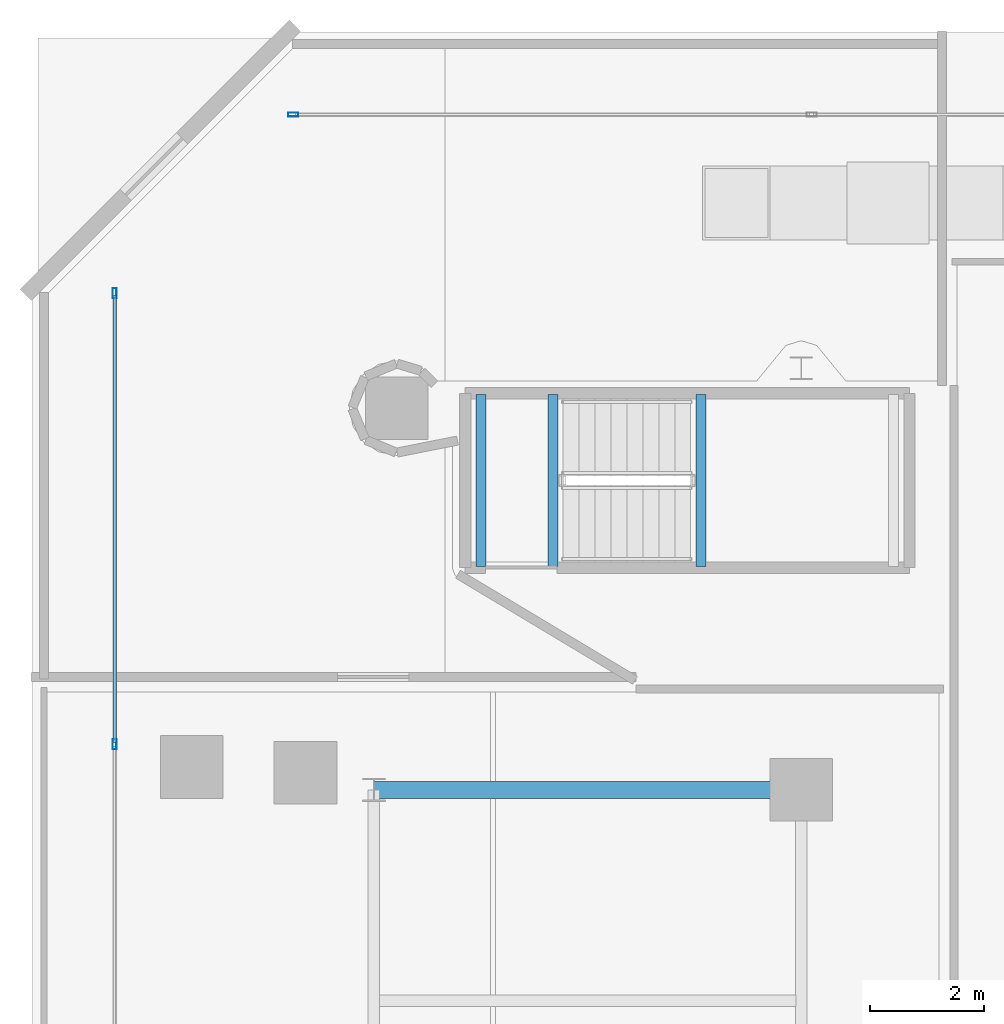
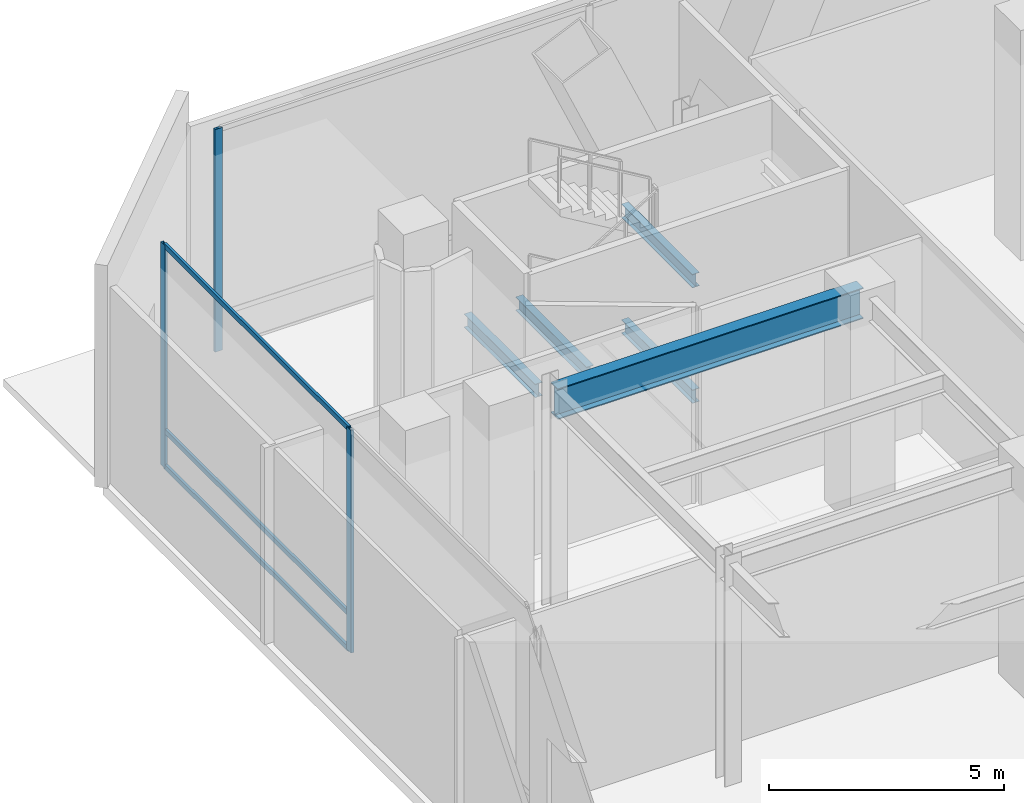
# One storey, part 15 of 40: 6 members, 5 beams, 2 elements without a shape of their own.
"""IFC4 building model written with IfcOpenShell, lengths in metres."""

import ifcopenshell
import ifcopenshell.guid

model = None  # the IFC model being written
_history = None  # IfcOwnerHistory: only IFC2X3 demands one
_inside = {}  # id of a spatial element -> (the spatial element, [elements in it])
_under = {}  # id of a project, library or spatial element -> (it, [spatial elements below it])
_declared = {}  # id of a project -> (the project, [libraries it declares])
_typed = {}  # id of a type object -> (the type object, [elements of that type])
_made_of = {}  # id of a material, layer set ... -> (it, [elements and type objects made of it])


def new_model(schema):
    """Start an empty IFC model of exactly this schema.

    Asked for "IFC4X3", IfcOpenShell would pick the latest addendum, in which some entities
    have other attributes; the version numbers below select the first issue.
    IFC2X3 requires an IfcOwnerHistory on every rooted entity: one is made here for all.
    """
    global model, _history
    if schema == "IFC4X3":
        model = ifcopenshell.file(schema_version=(4, 3, 0, 0))
    else:
        model = ifcopenshell.file(schema=schema)
    _inside.clear()
    _under.clear()
    _declared.clear()
    _typed.clear()
    _made_of.clear()
    _history = None
    if model.schema == "IFC2X3":
        org = make("IfcOrganization", Name="unknown")
        user = make(
            "IfcPersonAndOrganization",
            ThePerson=make("IfcPerson", FamilyName="unknown"),
            TheOrganization=org,
        )
        app = make(
            "IfcApplication",
            ApplicationDeveloper=org,
            Version="unknown",
            ApplicationFullName="unknown",
            ApplicationIdentifier="unknown",
        )
        _history = make(
            "IfcOwnerHistory",
            OwningUser=user,
            OwningApplication=app,
            ChangeAction="ADDED",
            CreationDate=0,
        )
    return model


def make(cls, **values):
    """One entity of the class cls with the attributes given. An attribute that is None is left unset."""
    return model.create_entity(
        cls, **{name: value for name, value in values.items() if value is not None}
    )


def rooted(cls, **values):
    """An entity with a GlobalId (a new one), such as an element, a storey or a relation."""
    return make(cls, GlobalId=ifcopenshell.guid.new(), OwnerHistory=_history, **values)


def si_unit(unit_type, name, prefix=None):
    """IfcSIUnit, for example si_unit("LENGTHUNIT", "METRE", prefix="MILLI")."""
    return make("IfcSIUnit", UnitType=unit_type, Prefix=prefix, Name=name)


def assignment(units):
    """IfcUnitAssignment: the units of a project."""
    return None if units is None else make("IfcUnitAssignment", Units=units)


def point(xyz):
    """IfcCartesianPoint."""
    return None if xyz is None else make("IfcCartesianPoint", Coordinates=xyz)


def direction(xyz):
    """IfcDirection."""
    return None if xyz is None else make("IfcDirection", DirectionRatios=xyz)


def frame(location, z_axis=None, x_axis=None):
    """IfcAxis2Placement3D, a coordinate frame: its origin and axes. An axis left out is left unset."""
    return make(
        "IfcAxis2Placement3D",
        Location=point(location),
        Axis=direction(z_axis),
        RefDirection=direction(x_axis),
    )


def frame_2d(location, x_axis=None):
    """IfcAxis2Placement2D, a coordinate frame in the plane: its origin and x axis."""
    return make(
        "IfcAxis2Placement2D", Location=point(location), RefDirection=direction(x_axis)
    )


def origin():
    """The frame at (0, 0, 0) with its axes left unset."""
    return frame((0.0, 0.0, 0.0))


def origin_2d():
    """The frame at (0, 0) in the plane with its x axis left unset."""
    return frame_2d((0.0, 0.0))


def place(relative_to, where):
    """IfcLocalPlacement: puts the frame where relative to a parent placement (None: the world)."""
    return make(
        "IfcLocalPlacement", PlacementRelTo=relative_to, RelativePlacement=where
    )


def context(
    kind, dimensions, precision=None, world=None, true_north=None, identifier=None
):
    """IfcGeometricRepresentationContext, for example the 3D "Model" context."""
    return make(
        "IfcGeometricRepresentationContext",
        ContextIdentifier=identifier,
        ContextType=kind,
        CoordinateSpaceDimension=dimensions,
        Precision=precision,
        WorldCoordinateSystem=world,
        TrueNorth=true_north,
    )


def subcontext(parent, identifier, kind, view, scale=None):
    """IfcGeometricRepresentationSubContext, for example "Body" below "Model"."""
    return make(
        "IfcGeometricRepresentationSubContext",
        ContextIdentifier=identifier,
        ContextType=kind,
        ParentContext=parent,
        TargetScale=scale,
        TargetView=view,
    )


def project(units=None, contexts=None):
    """IfcProject with its units and contexts."""
    return rooted(
        "IfcProject",
        Name="project",
        RepresentationContexts=contexts,
        UnitsInContext=assignment(units),
    )


def spatial(cls, under=None, at=None, **own):
    """A site, building, storey or space (cls), placed at a placement, below another one or the project."""
    s = rooted(cls, ObjectPlacement=at, **own)
    if under is not None:
        _under.setdefault(under.id(), (under, []))[1].append(s)
    return s


def profile(cls, at=None, kind="AREA", **sizes):
    """A parametric profile (cls). Its sizes go by their IFC names, for example OverallWidth=200.0."""
    return make(cls, ProfileType=kind, Position=at, **sizes)


def hollow_rectangle(**sizes):
    """IfcRectangleHollowProfileDef."""
    return profile("IfcRectangleHollowProfileDef", **sizes)


def i_section(**sizes):
    """IfcIShapeProfileDef."""
    return profile("IfcIShapeProfileDef", **sizes)


def extrude(swept, where, along, depth):
    """IfcExtrudedAreaSolid: the profile swept, set in the frame where, extruded along a direction by depth."""
    return make(
        "IfcExtrudedAreaSolid",
        SweptArea=swept,
        Position=where,
        ExtrudedDirection=direction(along),
        Depth=depth,
    )


def shape(context_of_items, identifier, shape_type, items):
    """IfcShapeRepresentation: the items that make up one representation, for example the "Body"."""
    return make(
        "IfcShapeRepresentation",
        ContextOfItems=context_of_items,
        RepresentationIdentifier=identifier,
        RepresentationType=shape_type,
        Items=items,
    )


def material(Name=None, Category=None):
    """IfcMaterial."""
    return make("IfcMaterial", Name=Name, Category=Category)


def layer(
    of_material, thickness, ventilated=None, Name=None, Category=None, Priority=None
):
    """IfcMaterialLayer: one layer of a wall or slab, of a material (None: an air gap)."""
    return make(
        "IfcMaterialLayer",
        Material=of_material,
        LayerThickness=thickness,
        IsVentilated=ventilated,
        Name=Name,
        Category=Category,
        Priority=Priority,
    )


def layer_set(layers, Name=None):
    """IfcMaterialLayerSet."""
    return make("IfcMaterialLayerSet", MaterialLayers=layers, LayerSetName=Name)


def material_profile(
    of_material, cross_section, Name=None, Category=None, Priority=None
):
    """IfcMaterialProfile: a cross section and its material."""
    return make(
        "IfcMaterialProfile",
        Name=Name,
        Material=of_material,
        Profile=cross_section,
        Priority=Priority,
        Category=Category,
    )


def profile_set(profiles, Name=None, composite=None):
    """IfcMaterialProfileSet."""
    return make(
        "IfcMaterialProfileSet",
        Name=Name,
        MaterialProfiles=profiles,
        CompositeProfile=composite,
    )


def made_of(thing, what):
    """Note that an element or type object is made of a material, layer set ...; save() writes the relation."""
    if what is not None:
        _made_of.setdefault(what.id(), (what, []))[1].append(thing)
    return thing


def type_object(cls, material=None, **own):
    """A type object (cls), such as IfcWallType, which elements share."""
    return made_of(rooted(cls, **own), material)


def element(
    cls,
    number,
    at=None,
    inside=None,
    cuts=None,
    type_object=None,
    material=None,
    context=None,
    identifier="Body",
    shape_type=None,
    held_by="IfcProductDefinitionShape",
    body=None,
    shapes=None,
    **own,
):
    """One element of the class cls, such as IfcWall. Its Tag is "e" and its number.

    at: its placement. inside: the storey or other place that contains it. cuts: it is an
    opening in that element (IfcRelVoidsElement). A single representation is given by context,
    identifier, shape_type and body (its items); several are given by shapes. held_by: the class
    of the entity that holds the representations. save() writes the other relations.
    """
    e = rooted(cls, Tag="e%d" % number, ObjectPlacement=at, **own)
    if body is not None:
        shapes = [shape(context, identifier, shape_type, body)]
    if shapes is not None:
        e.Representation = make(held_by, Representations=shapes)
    if inside is not None:
        _inside.setdefault(inside.id(), (inside, []))[1].append(e)
    if cuts is not None:
        rooted(
            "IfcRelVoidsElement", RelatingBuildingElement=cuts, RelatedOpeningElement=e
        )
    if type_object is not None:
        _typed.setdefault(type_object.id(), (type_object, []))[1].append(e)
    return made_of(e, material)


def aggregate(whole, parts):
    """IfcRelAggregates: a whole, such as a stair, and the parts it consists of."""
    return rooted("IfcRelAggregates", RelatingObject=whole, RelatedObjects=parts)


def save(model, path):
    """Write the relations noted so far, then the file.

    IfcRelAggregates (storeys below a building ...), IfcRelContainedInSpatialStructure (elements
    in a storey), IfcRelDefinesByType, IfcRelAssociatesMaterial and IfcRelDeclares: one each for
    every whole, place, type object, material and project.
    """
    for whole, parts in _under.values():
        aggregate(whole, parts)
    for where, things in _inside.values():
        rooted(
            "IfcRelContainedInSpatialStructure",
            RelatedElements=things,
            RelatingStructure=where,
        )
    for kind, things in _typed.values():
        rooted("IfcRelDefinesByType", RelatedObjects=things, RelatingType=kind)
    for what, things in _made_of.values():
        rooted("IfcRelAssociatesMaterial", RelatedObjects=things, RelatingMaterial=what)
    for by, libraries in _declared.values():
        rooted("IfcRelDeclares", RelatingContext=by, RelatedDefinitions=libraries)
    model.write(path)


model = new_model("IFC4")

# Units and contexts
model_context = context("Model", 3, precision=1e-05, world=origin(), true_north=direction((0.0, 1.0)))
body_context = subcontext(model_context, "Body", "Model", "MODEL_VIEW")
ifc_project = project(units=[si_unit("LENGTHUNIT", "METRE"), si_unit("AREAUNIT", "SQUARE_METRE"), si_unit("VOLUMEUNIT", "CUBIC_METRE"), si_unit("PLANEANGLEUNIT", "RADIAN"), si_unit("MASSUNIT", "GRAM", prefix="KILO")], contexts=[model_context])

# Site, building, storey
site_placement = place(None, origin())
site = spatial("IfcSite", under=ifc_project, at=site_placement, CompositionType="ELEMENT")
building_placement = place(site_placement, origin())
building = spatial("IfcBuilding", under=site, at=building_placement, Name="Qianvela Tower", CompositionType="ELEMENT")
storey_placement = place(building_placement, origin())
storey = spatial("IfcBuildingStorey", under=building, at=storey_placement, Name="L00", CompositionType="ELEMENT", Elevation=0.0)

# Beams
ifc_material_1 = material(Name="Steel Q355B", Category="steel")
ifc_material_profile_1 = material_profile(ifc_material_1, i_section(OverallWidth=0.175048828125, OverallDepth=0.35009765625, WebThickness=0.007080078125, FlangeThickness=0.010986328125, at=origin_2d()), Name="HN350x175x7x11")
ifc_profile_set_1 = profile_set([ifc_material_profile_1], Name="Steel Q355B")
beam_type_1 = type_object("IfcBeamType", Name="BM-HN350-JOIST", PredefinedType="JOIST", material=ifc_profile_set_1)
for number, where, z_axis, x_axis, name in (
    (1, (13.239990234375, 41.1201171875, 1.125), (0.0, 1.0, 0.0), (-1.0, 0.0, 0.0), "L00 Stair ST-3 Landing Support Beam 1.1"),
    (2, (9.3798828125, 41.1201171875, 2.625), (0.0, 1.0, 0.0), (-1.0, 0.0, 0.0), "L00 Stair ST-3 Landing Support Beam 2.1"),
    (3, (10.639892578125, 41.1201171875, 2.625), (0.0, 1.0, 0.0), (-1.0, 0.0, 0.0), "L00 Stair ST-3 Landing Support Beam 2.2"),
    (4, (13.239990234375, 41.1201171875, 4.125), (0.0, 1.0, 0.0), (-1.0, 0.0, 0.0), "L00 Stair ST-3 Landing Support Beam 3.1"),
):
    element("IfcBeam", number, at=place(storey_placement, frame(where, z_axis=z_axis, x_axis=x_axis)), inside=storey, type_object=beam_type_1, Name=name, PredefinedType="JOIST", context=body_context, shape_type="SweptSolid", body=[
        extrude(i_section(OverallWidth=0.175048828125, OverallDepth=0.35009765625, WebThickness=0.007080078125, FlangeThickness=0.010986328125, at=origin_2d()), origin(), (0.0, 0.0, 1.0), 3.019775390625),
    ])
ifc_material_2 = material(Name="Steel Q355B", Category="steel")
ifc_material_profile_2 = material_profile(ifc_material_2, i_section(OverallWidth=0.300048828125, OverallDepth=0.800048828125, WebThickness=0.013916015625, FlangeThickness=0.02587890625, at=origin_2d()), Name="HN800x300x14x26")
ifc_profile_set_2 = profile_set([ifc_material_profile_2], Name="Steel Q355B")
beam_type_2 = type_object("IfcBeamType", Name="BM-HN800-SPAND", PredefinedType="SPANDREL", material=ifc_profile_set_2)
beam_placement = place(storey_placement, frame((7.5, 37.199951171875, 5.3779296875), z_axis=(1.0, 0.0, 0.0), x_axis=(0.0, 1.0, 0.0)))
element("IfcBeam", 5, at=beam_placement, inside=storey, type_object=beam_type_2, Name="L00 East-West Grid Girder 14", PredefinedType="SPANDREL", context=body_context, shape_type="SweptSolid", body=[
    extrude(i_section(OverallWidth=0.300048828125, OverallDepth=0.800048828125, WebThickness=0.013916015625, FlangeThickness=0.02587890625, at=origin_2d()), origin(), (0.0, 0.0, 1.0), 7.5),
])

# Curtain wall, member
ifc_material_3 = material(Name="Anodised Architectural Aluminium and Low-E Glass", Category="aluminium")
ifc_layer = layer(ifc_material_3, 0.199951171875)
ifc_layer_set = layer_set([ifc_layer], Name="Anodised Architectural Aluminium and Low-E Glass")
curtain_wall_type = type_object("IfcCurtainWallType", Name="CW-CONCOURSE", PredefinedType="USERDEFINED", material=ifc_layer_set)
curtain_wall_1_placement = place(storey_placement, origin())
curtain_wall_1 = element("IfcCurtainWall", 6, at=curtain_wall_1_placement, inside=storey, type_object=curtain_wall_type, Name="L00 CW-CONCOURSE Curtain Wall 05B", ObjectType="CURTAIN_WALL_SYSTEM", PredefinedType="USERDEFINED")
ifc_material_4 = material(Name="Anodised Architectural Aluminium 6063-T6", Category="aluminium")
ifc_material_profile_3 = material_profile(ifc_material_4, hollow_rectangle(XDim=0.070068359375, YDim=0.179931640625, WallThickness=0.0048828125, at=origin_2d()), Name="ALU-MULL-70x180")
ifc_profile_set_3 = profile_set([ifc_material_profile_3], Name="Anodised Architectural Aluminium 6063-T6")
member_type_1 = type_object("IfcMemberType", Name="CW-CONCOURSE-MULL", PredefinedType="MULLION", material=ifc_profile_set_3)
member_1_placement = place(storey_placement, frame((6.0849609375, 49.050048828125, 0.0), z_axis=(0.0, 0.0, 1.0), x_axis=(0.0, -1.0, 0.0)))
member_1 = element("IfcMember", 7, at=member_1_placement, type_object=member_type_1, Name="CW-1 mullion 4", PredefinedType="MULLION", context=body_context, shape_type="SweptSolid", body=[
    extrude(hollow_rectangle(XDim=0.070068359375, YDim=0.179931640625, WallThickness=0.0048828125, at=origin_2d()), origin(), (0.0, 0.0, 1.0), 5.780029296875),
])
aggregate(curtain_wall_1, [member_1])

# Curtain wall, members
curtain_wall_2_placement = place(storey_placement, origin())
curtain_wall_2 = element("IfcCurtainWall", 8, at=curtain_wall_2_placement, inside=storey, type_object=curtain_wall_type, Name="L00 CW-CONCOURSE Curtain Wall 07A", ObjectType="CURTAIN_WALL_SYSTEM", PredefinedType="USERDEFINED")
member_2_placement = place(storey_placement, frame((2.949951171875, 45.9150390625, 0.0), z_axis=(0.0, 0.0, 1.0), x_axis=(1.0, 0.0, 0.0)))
member_2 = element("IfcMember", 9, at=member_2_placement, type_object=member_type_1, Name="CW-1 mullion 1", PredefinedType="MULLION", context=body_context, shape_type="SweptSolid", body=[
    extrude(hollow_rectangle(XDim=0.070068359375, YDim=0.179931640625, WallThickness=0.0048828125, at=origin_2d()), origin(), (0.0, 0.0, 1.0), 5.780029296875),
])
member_3_placement = place(storey_placement, frame((2.949951171875, 38.0, 0.0), z_axis=(0.0, 0.0, 1.0), x_axis=(1.0, 0.0, 0.0)))
member_3 = element("IfcMember", 10, at=member_3_placement, type_object=member_type_1, Name="CW-1 mullion 2", PredefinedType="MULLION", context=body_context, shape_type="SweptSolid", body=[
    extrude(hollow_rectangle(XDim=0.070068359375, YDim=0.179931640625, WallThickness=0.0048828125, at=origin_2d()), origin(), (0.0, 0.0, 1.0), 5.780029296875),
])
ifc_material_5 = material(Name="Anodised Architectural Aluminium 6063-T6", Category="aluminium")
ifc_material_profile_4 = material_profile(ifc_material_5, hollow_rectangle(XDim=0.06494140625, YDim=0.1298828125, WallThickness=0.00439453125, at=origin_2d()), Name="ALU-TRAN-65x130")
ifc_profile_set_4 = profile_set([ifc_material_profile_4], Name="Anodised Architectural Aluminium 6063-T6")
member_type_2 = type_object("IfcMemberType", Name="CW-CONCOURSE-TRAN", PredefinedType="USERDEFINED", material=ifc_profile_set_4)
member_4_placement = place(storey_placement, frame((2.949951171875, 45.8798828125, 0.032470703125), z_axis=(0.0, -1.0, 0.0), x_axis=(1.0, 0.0, 0.0)))
member_4 = element("IfcMember", 11, at=member_4_placement, type_object=member_type_2, Name="CW-1 transom 1.1", ObjectType="TRANSOM", PredefinedType="USERDEFINED", context=body_context, shape_type="SweptSolid", body=[
    extrude(hollow_rectangle(XDim=0.06494140625, YDim=0.1298828125, WallThickness=0.00439453125, at=origin_2d()), origin(), (0.0, 0.0, 1.0), 7.844970703125),
])
member_5_placement = place(storey_placement, frame((2.949951171875, 45.8798828125, 0.949951171875), z_axis=(0.0, -1.0, 0.0), x_axis=(1.0, 0.0, 0.0)))
member_5 = element("IfcMember", 12, at=member_5_placement, type_object=member_type_2, Name="CW-1 transom 1.2", ObjectType="TRANSOM", PredefinedType="USERDEFINED", context=body_context, shape_type="SweptSolid", body=[
    extrude(hollow_rectangle(XDim=0.06494140625, YDim=0.1298828125, WallThickness=0.00439453125, at=origin_2d()), origin(), (0.0, 0.0, 1.0), 7.844970703125),
])
member_6_placement = place(storey_placement, frame((2.949951171875, 45.8798828125, 5.74755859375), z_axis=(0.0, -1.0, 0.0), x_axis=(1.0, 0.0, 0.0)))
member_6 = element("IfcMember", 13, at=member_6_placement, type_object=member_type_2, Name="CW-1 transom 1.3", ObjectType="TRANSOM", PredefinedType="USERDEFINED", context=body_context, shape_type="SweptSolid", body=[
    extrude(hollow_rectangle(XDim=0.06494140625, YDim=0.1298828125, WallThickness=0.00439453125, at=origin_2d()), origin(), (0.0, 0.0, 1.0), 7.844970703125),
])
aggregate(curtain_wall_2, [member_2, member_3, member_4, member_5, member_6])

save(model, "model.ifc")
